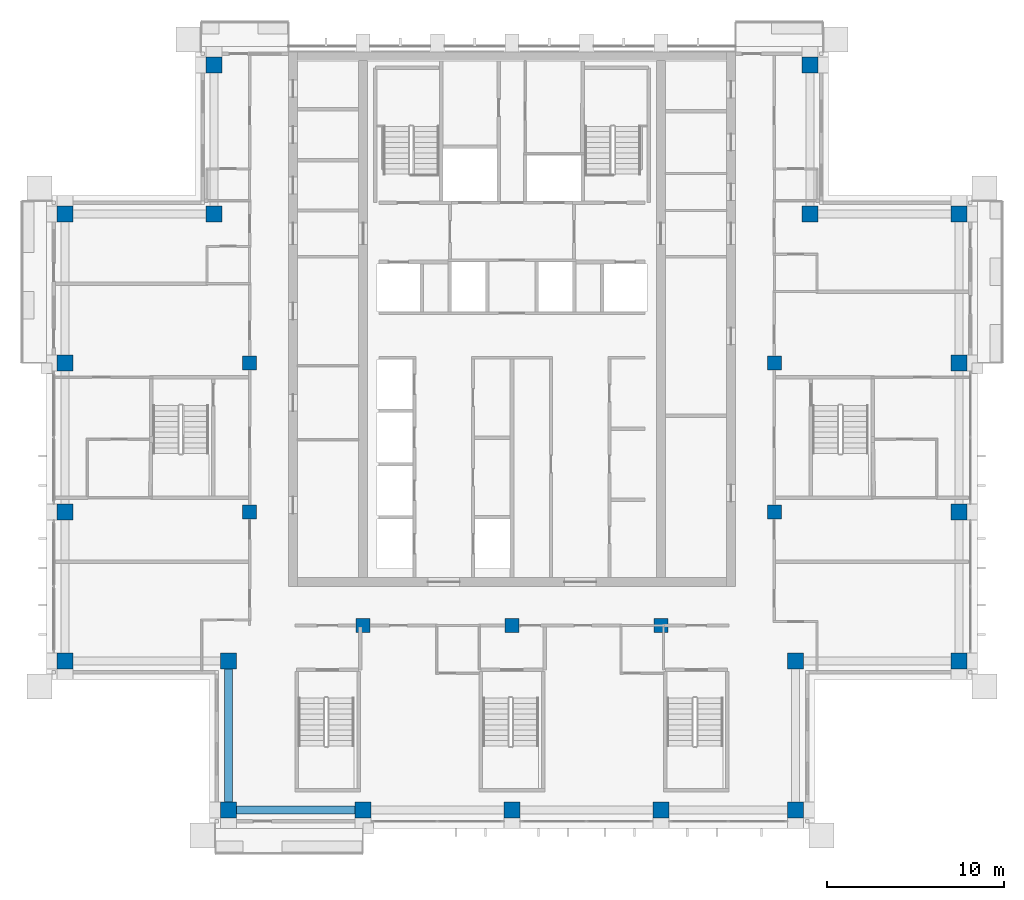
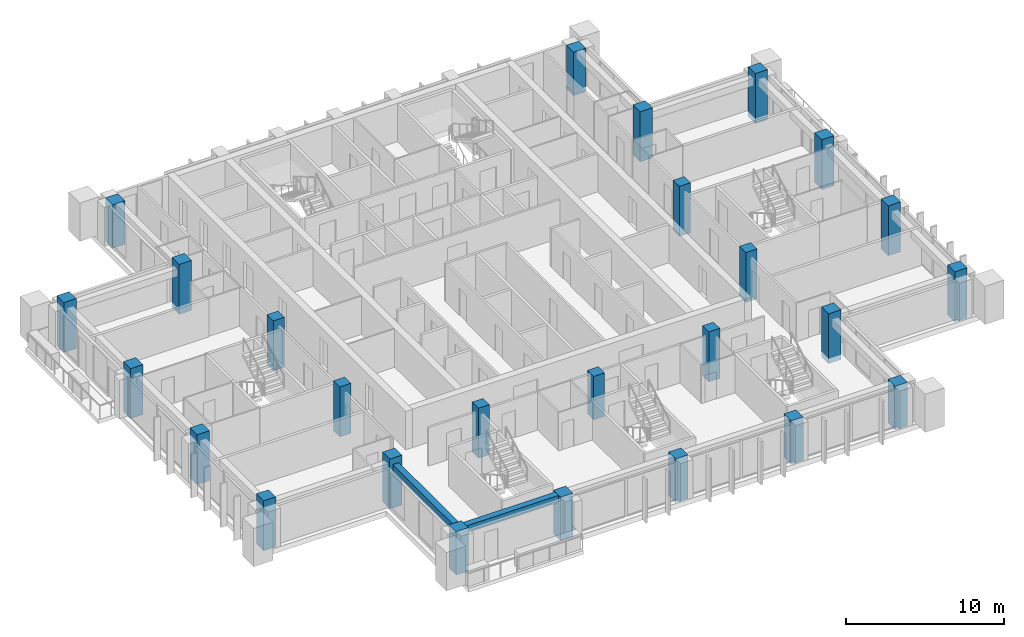
# One storey, part 1 of 18: 26 columns, 2 beams.
"""IFC4 building model written with IfcOpenShell, lengths in metres."""

from ifc_helpers import new_model, si_unit, direction, frame, origin, origin_2d, place, context, subcontext, project, spatial, rectangle, extrude, material, material_profile, profile_set, type_object, element, save


model = new_model("IFC4")

# Units and contexts
model_context = context("Model", 3, precision=1e-05, world=origin(), true_north=direction((0.0, 1.0)))
body_context = subcontext(model_context, "Body", "Model", "MODEL_VIEW")
ifc_project = project(units=[si_unit("LENGTHUNIT", "METRE"), si_unit("AREAUNIT", "SQUARE_METRE"), si_unit("VOLUMEUNIT", "CUBIC_METRE"), si_unit("PLANEANGLEUNIT", "RADIAN"), si_unit("MASSUNIT", "GRAM", prefix="KILO")], contexts=[model_context])

# Site, building, storey
site_placement = place(None, origin())
site = spatial("IfcSite", under=ifc_project, at=site_placement, CompositionType="ELEMENT")
building_placement = place(site_placement, origin())
building = spatial("IfcBuilding", under=site, at=building_placement, Name="Vermilion Ogive Tower", CompositionType="ELEMENT")
storey_placement = place(building_placement, frame((0.0, 0.0, 261.39990234375)))
storey = spatial("IfcBuildingStorey", under=building, at=storey_placement, Name="L69", CompositionType="ELEMENT", Elevation=261.39990234375)

# Columns
ifc_material_1 = material(Name="Concrete B60", Category="concrete")
ifc_material_profile_1 = material_profile(ifc_material_1, rectangle(XDim=0.89990234375, YDim=0.89990234375, at=origin_2d()), Name="900 x 900")
ifc_profile_set_1 = profile_set([ifc_material_profile_1], Name="Concrete B60")
column_type_1 = type_object("IfcColumnType", Name="Perimeter column 900 x 900 B60", PredefinedType="COLUMN", material=ifc_profile_set_1)
for number, where, z_axis, x_axis, name in (
    (1, (-16.0, -21.0, -0.39990234375), (0.0, 0.0, 1.0), (1.0, 0.0, 0.0), "COL-L69-P-0160-210"),
    (2, (-8.39990234375, -21.0, -0.39990234375), (0.0, 0.0, 1.0), (1.0, 0.0, 0.0), "COL-L69-P-0084-210"),
    (3, (0.0, -21.0, -0.39990234375), (0.0, 0.0, 1.0), (1.0, 0.0, 0.0), "COL-L69-P+0000-210"),
    (4, (8.39990234375, -21.0, -0.39990234375), (0.0, 0.0, 1.0), (1.0, 0.0, 0.0), "COL-L69-P+0084-210"),
    (5, (16.0, -21.0, -0.39990234375), (0.0, 0.0, 1.0), (1.0, 0.0, 0.0), "COL-L69-P+0160-210"),
):
    element("IfcColumn", number, at=place(storey_placement, frame(where, z_axis=z_axis, x_axis=x_axis)), inside=storey, type_object=column_type_1, Name=name, PredefinedType="COLUMN", context=body_context, shape_type="SweptSolid", body=[
        extrude(rectangle(XDim=0.89990234375, YDim=0.89990234375, at=origin_2d()), origin(), (0.0, 0.0, 1.0), 3.35009765625),
    ])
for number, where, z_axis, x_axis, name in (
    (6, (-25.199951171875, -12.60009765625, -0.39990234375), (0.0, 0.0, 1.0), (1.0, 0.0, 0.0), "COL-L69-P-0252-126"),
    (7, (-16.0, -12.60009765625, -0.39990234375), (0.0, 0.0, 1.0), (1.0, 0.0, 0.0), "COL-L69-P-0160-126"),
    (8, (16.0, -12.60009765625, -0.39990234375), (0.0, 0.0, 1.0), (1.0, 0.0, 0.0), "COL-L69-P+0160-126"),
    (9, (25.199951171875, -12.60009765625, -0.39990234375), (0.0, 0.0, 1.0), (1.0, 0.0, 0.0), "COL-L69-P+0252-126"),
    (10, (-25.199951171875, -4.199951171875, -0.39990234375), (0.0, 0.0, 1.0), (1.0, 0.0, 0.0), "COL-L69-P-0252-042"),
    (11, (25.199951171875, -4.199951171875, -0.39990234375), (0.0, 0.0, 1.0), (1.0, 0.0, 0.0), "COL-L69-P+0252-042"),
    (12, (-25.199951171875, 4.199951171875, -0.39990234375), (0.0, 0.0, 1.0), (1.0, 0.0, 0.0), "COL-L69-P-0252+042"),
    (13, (25.199951171875, 4.199951171875, -0.39990234375), (0.0, 0.0, 1.0), (1.0, 0.0, 0.0), "COL-L69-P+0252+042"),
    (14, (-25.199951171875, 12.60009765625, -0.39990234375), (0.0, 0.0, 1.0), (1.0, 0.0, 0.0), "COL-L69-P-0252+126"),
    (15, (-16.800048828125, 12.60009765625, -0.39990234375), (0.0, 0.0, 1.0), (1.0, 0.0, 0.0), "COL-L69-P-0168+126"),
    (16, (16.800048828125, 12.60009765625, -0.39990234375), (0.0, 0.0, 1.0), (1.0, 0.0, 0.0), "COL-L69-P+0168+126"),
    (17, (25.199951171875, 12.60009765625, -0.39990234375), (0.0, 0.0, 1.0), (1.0, 0.0, 0.0), "COL-L69-P+0252+126"),
):
    element("IfcColumn", number, at=place(storey_placement, frame(where, z_axis=z_axis, x_axis=x_axis)), inside=storey, type_object=column_type_1, Name=name, PredefinedType="COLUMN", context=body_context, shape_type="SweptSolid", body=[
        extrude(rectangle(XDim=0.89990234375, YDim=0.89990234375, at=origin_2d()), origin(), (0.0, 0.0, 1.0), 3.85009765625),
    ])
for number, where, z_axis, x_axis, name in (
    (18, (-16.800048828125, 21.0, -0.39990234375), (0.0, 0.0, 1.0), (1.0, 0.0, 0.0), "COL-L69-P-0168+210"),
    (19, (16.800048828125, 21.0, -0.39990234375), (0.0, 0.0, 1.0), (1.0, 0.0, 0.0), "COL-L69-P+0168+210"),
):
    element("IfcColumn", number, at=place(storey_placement, frame(where, z_axis=z_axis, x_axis=x_axis)), inside=storey, type_object=column_type_1, Name=name, PredefinedType="COLUMN", context=body_context, shape_type="SweptSolid", body=[
        extrude(rectangle(XDim=0.89990234375, YDim=0.89990234375, at=origin_2d()), origin(), (0.0, 0.0, 1.0), 3.35009765625),
    ])
ifc_material_2 = material(Name="Concrete B60", Category="concrete")
ifc_material_profile_2 = material_profile(ifc_material_2, rectangle(XDim=0.800048828125, YDim=0.800048828125, at=origin_2d()), Name="800 x 800")
ifc_profile_set_2 = profile_set([ifc_material_profile_2], Name="Concrete B60")
column_type_2 = type_object("IfcColumnType", Name="Ring column 800 x 800 B60", PredefinedType="COLUMN", material=ifc_profile_set_2)
column_1_placement = place(storey_placement, frame((-8.39990234375, -10.60009765625, -0.39990234375), z_axis=(0.0, 0.0, 1.0), x_axis=(1.0, 0.0, 0.0)))
element("IfcColumn", 20, at=column_1_placement, inside=storey, type_object=column_type_2, Name="COL-L69-R-0084-106", PredefinedType="COLUMN", context=body_context, shape_type="SweptSolid", body=[
    extrude(rectangle(XDim=0.800048828125, YDim=0.800048828125, at=origin_2d()), origin(), (0.0, 0.0, 1.0), 3.85009765625),
])
column_2_placement = place(storey_placement, frame((0.0, -10.60009765625, -0.39990234375), z_axis=(0.0, 0.0, 1.0), x_axis=(1.0, 0.0, 0.0)))
element("IfcColumn", 21, at=column_2_placement, inside=storey, type_object=column_type_2, Name="COL-L69-R+0000-106", PredefinedType="COLUMN", context=body_context, shape_type="SweptSolid", body=[
    extrude(rectangle(XDim=0.800048828125, YDim=0.800048828125, at=origin_2d()), origin(), (0.0, 0.0, 1.0), 3.35009765625),
])
for number, where, z_axis, x_axis, name in (
    (22, (8.39990234375, -10.60009765625, -0.39990234375), (0.0, 0.0, 1.0), (1.0, 0.0, 0.0), "COL-L69-R+0084-106"),
    (23, (-14.800048828125, -4.199951171875, -0.39990234375), (0.0, 0.0, 1.0), (1.0, 0.0, 0.0), "COL-L69-R-0148-042"),
    (24, (14.800048828125, -4.199951171875, -0.39990234375), (0.0, 0.0, 1.0), (1.0, 0.0, 0.0), "COL-L69-R+0148-042"),
    (25, (-14.800048828125, 4.199951171875, -0.39990234375), (0.0, 0.0, 1.0), (1.0, 0.0, 0.0), "COL-L69-R-0148+042"),
    (26, (14.800048828125, 4.199951171875, -0.39990234375), (0.0, 0.0, 1.0), (1.0, 0.0, 0.0), "COL-L69-R+0148+042"),
):
    element("IfcColumn", number, at=place(storey_placement, frame(where, z_axis=z_axis, x_axis=x_axis)), inside=storey, type_object=column_type_2, Name=name, PredefinedType="COLUMN", context=body_context, shape_type="SweptSolid", body=[
        extrude(rectangle(XDim=0.800048828125, YDim=0.800048828125, at=origin_2d()), origin(), (0.0, 0.0, 1.0), 3.85009765625),
    ])

# Beams
ifc_material_3 = material(Name="Concrete B45", Category="concrete")
ifc_material_profile_3 = material_profile(ifc_material_3, rectangle(XDim=0.449951171875, YDim=0.550048828125, at=origin_2d()), Name="450 x 550")
ifc_profile_set_3 = profile_set([ifc_material_profile_3], Name="Concrete B45")
beam_type = type_object("IfcBeamType", Name="Edge beam 450 x 550 B45", PredefinedType="BEAM", material=ifc_profile_set_3)
beam_1_placement = place(storey_placement, frame((-15.550048828125, -21.0, 2.675048828125), z_axis=(1.0, 0.0, 0.0), x_axis=(0.0, 1.0, 0.0)))
element("IfcBeam", 27, at=beam_1_placement, inside=storey, type_object=beam_type, Name="L69-EB-1", PredefinedType="BEAM", context=body_context, shape_type="SweptSolid", body=[
    extrude(rectangle(XDim=0.449951171875, YDim=0.550048828125, at=origin_2d()), origin(), (0.0, 0.0, 1.0), 6.699951171875),
])
beam_2_placement = place(storey_placement, frame((-16.0, -13.050048828125, 2.675048828125), z_axis=(0.0, -1.0, 0.0), x_axis=(1.0, 0.0, 0.0)))
element("IfcBeam", 28, at=beam_2_placement, inside=storey, type_object=beam_type, Name="L69-EB-18", PredefinedType="BEAM", context=body_context, shape_type="SweptSolid", body=[
    extrude(rectangle(XDim=0.449951171875, YDim=0.550048828125, at=origin_2d()), origin(), (0.0, 0.0, 1.0), 7.5),
])

save(model, "model.ifc")
